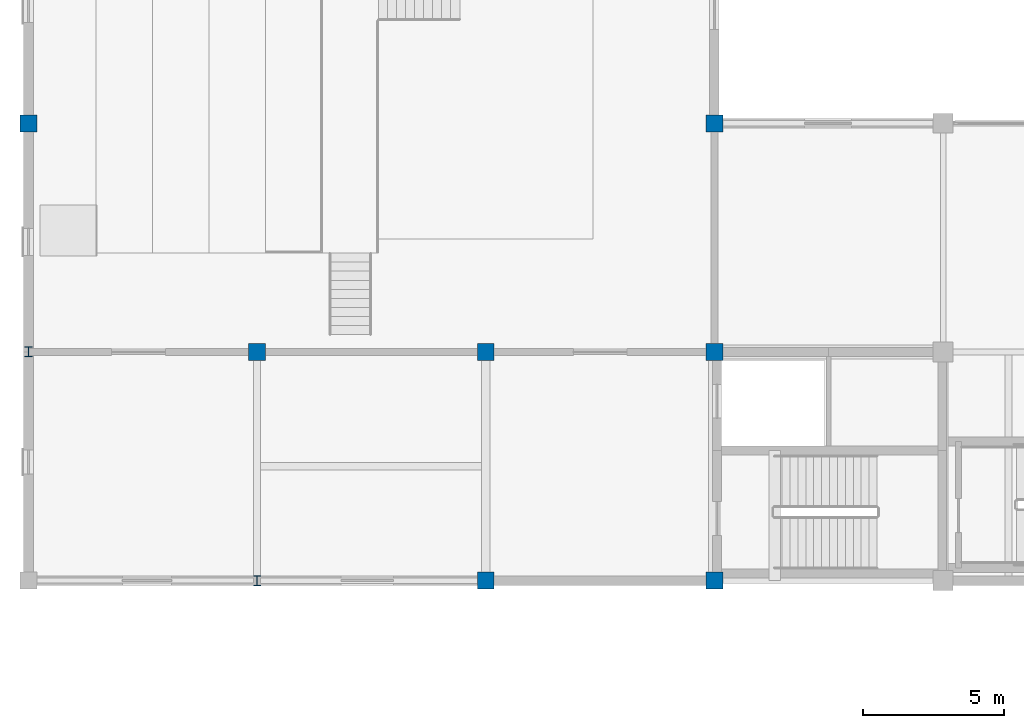
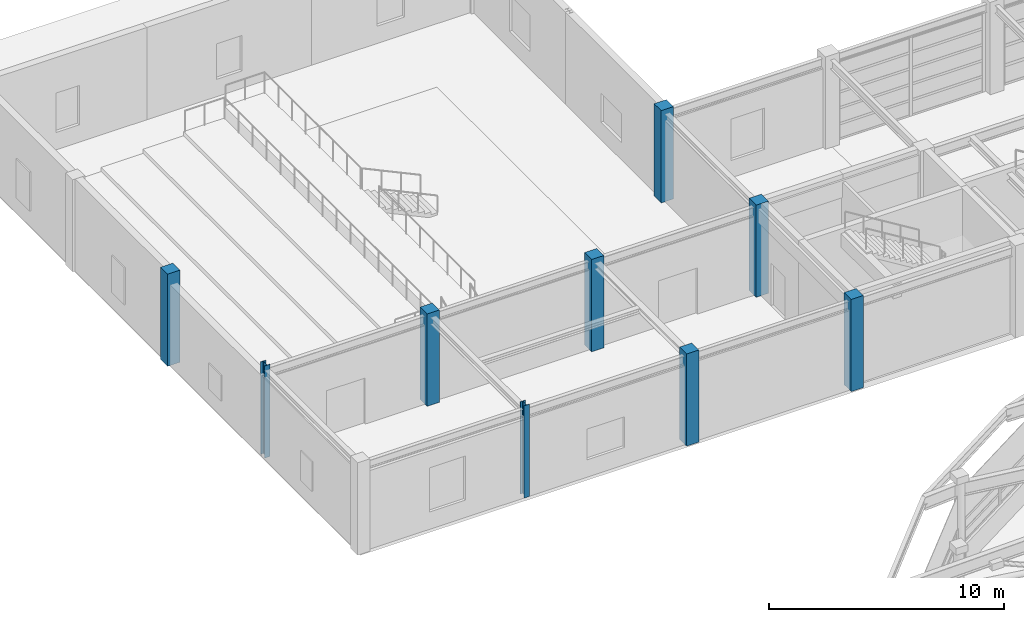
# One storey, part 7 of 56: 9 columns.
"""IFC4 building model written with IfcOpenShell, lengths in metres."""

from ifc_helpers import new_model, si_unit, direction, frame, origin, origin_2d, place, context, subcontext, project, spatial, rectangle, i_section, extrude, material, material_profile, profile_set, type_object, element, save


model = new_model("IFC4")

# Units and contexts
model_context = context("Model", 3, precision=1e-05, world=origin(), true_north=direction((0.0, 1.0)))
body_context = subcontext(model_context, "Body", "Model", "MODEL_VIEW")
ifc_project = project(units=[si_unit("LENGTHUNIT", "METRE"), si_unit("AREAUNIT", "SQUARE_METRE"), si_unit("VOLUMEUNIT", "CUBIC_METRE"), si_unit("PLANEANGLEUNIT", "RADIAN"), si_unit("MASSUNIT", "GRAM", prefix="KILO")], contexts=[model_context])

# Site, building, storey
site_placement = place(None, origin())
site = spatial("IfcSite", under=ifc_project, at=site_placement, CompositionType="ELEMENT")
building_placement = place(site_placement, origin())
building = spatial("IfcBuilding", under=site, at=building_placement, Name="Parian Resonance Hall", CompositionType="ELEMENT")
storey_placement = place(building_placement, frame((0.0, 0.0, 5.39990234375)))
storey = spatial("IfcBuildingStorey", under=building, at=storey_placement, Name="L01", CompositionType="ELEMENT", Elevation=5.39990234375)

# Columns
ifc_material_1 = material(Name="Concrete C40/50", Category="concrete")
ifc_material_profile_1 = material_profile(ifc_material_1, rectangle(XDim=0.60009765625, YDim=0.60009765625, at=origin_2d()), Name="RC-COL-600x600")
ifc_profile_set_1 = profile_set([ifc_material_profile_1], Name="Concrete C40/50")
column_type_1 = type_object("IfcColumnType", Name="COL-RC600", PredefinedType="COLUMN", material=ifc_profile_set_1)
for number, where, z_axis, x_axis, name in (
    (1, (0.0, 89.10009765625, 0.0), (0.0, 0.0, 1.0), (1.0, 0.0, 0.0), "Column G01-12 L01"),
    (2, (8.10009765625, 81.0, 0.0), (0.0, 0.0, 1.0), (1.0, 0.0, 0.0), "Column G02-11 L01"),
    (3, (16.199951171875, 72.89990234375, 0.0), (0.0, 0.0, 1.0), (1.0, 0.0, 0.0), "Column G03-10 L01"),
    (4, (16.199951171875, 81.0, 0.0), (0.0, 0.0, 1.0), (1.0, 0.0, 0.0), "Column G03-11 L01"),
    (5, (24.300048828125, 72.89990234375, 0.0), (0.0, 0.0, 1.0), (1.0, 0.0, 0.0), "Column G04-10 L01"),
    (6, (24.300048828125, 81.0, 0.0), (0.0, 0.0, 1.0), (1.0, 0.0, 0.0), "Column G04-11 L01"),
    (7, (24.300048828125, 89.10009765625, 0.0), (0.0, 0.0, 1.0), (1.0, 0.0, 0.0), "Column G04-12 L01"),
):
    element("IfcColumn", number, at=place(storey_placement, frame(where, z_axis=z_axis, x_axis=x_axis)), inside=storey, type_object=column_type_1, Name=name, PredefinedType="COLUMN", context=body_context, shape_type="SweptSolid", body=[
        extrude(rectangle(XDim=0.60009765625, YDim=0.60009765625, at=origin_2d()), origin(), (0.0, 0.0, 1.0), 4.800048828125),
    ])
ifc_material_2 = material(Name="Steel S355", Category="steel")
ifc_material_profile_2 = material_profile(ifc_material_2, i_section(OverallWidth=0.2548828125, OverallDepth=0.35693359375, WebThickness=0.010498046875, FlangeThickness=0.018310546875, FilletRadius=0.01513671875, at=origin_2d()), Name="W360x101")
ifc_profile_set_2 = profile_set([ifc_material_profile_2], Name="Steel S355")
column_type_2 = type_object("IfcColumnType", Name="COL-W360", PredefinedType="COLUMN", material=ifc_profile_set_2)
for number, where, z_axis, x_axis, name in (
    (8, (0.0, 81.0, 0.0), (0.0, 0.0, 1.0), (1.0, 0.0, 0.0), "Column G01-11 L01"),
    (9, (8.10009765625, 72.89990234375, 0.0), (0.0, 0.0, 1.0), (1.0, 0.0, 0.0), "Column G02-10 L01"),
):
    element("IfcColumn", number, at=place(storey_placement, frame(where, z_axis=z_axis, x_axis=x_axis)), inside=storey, type_object=column_type_2, Name=name, PredefinedType="COLUMN", context=body_context, shape_type="SweptSolid", body=[
        extrude(i_section(OverallWidth=0.2548828125, OverallDepth=0.35693359375, WebThickness=0.010498046875, FlangeThickness=0.018310546875, FilletRadius=0.01513671875, at=origin_2d()), origin(), (0.0, 0.0, 1.0), 4.800048828125),
    ])

save(model, "model.ifc")
